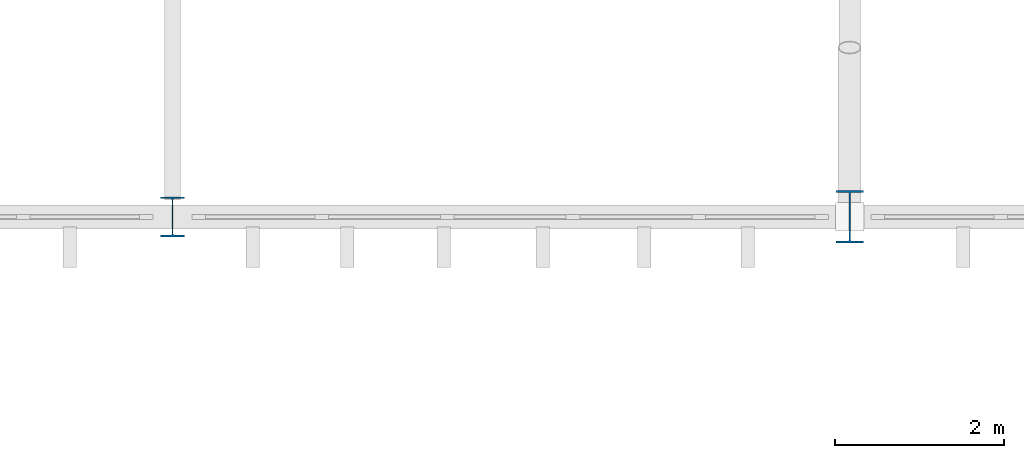
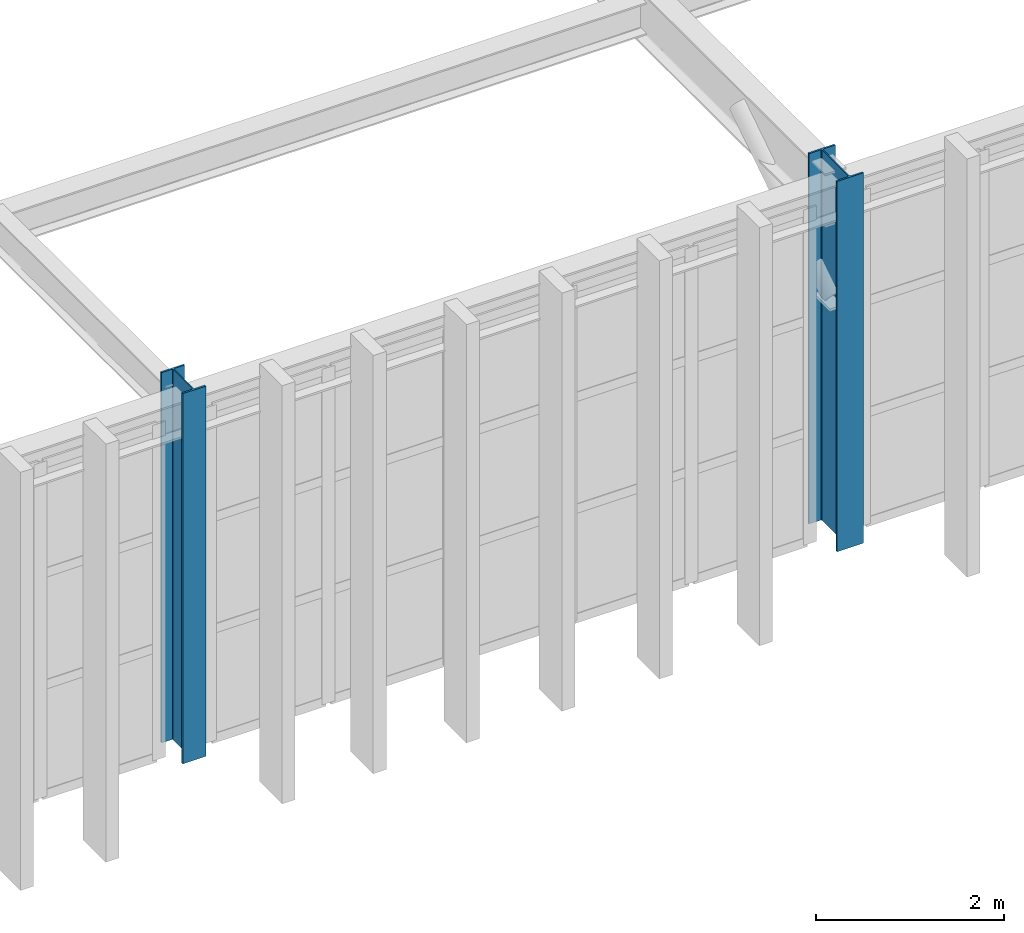
# One storey, part 5 of 61: 2 columns.
"""IFC4 building model written with IfcOpenShell, lengths in metres."""

import ifcopenshell
import ifcopenshell.guid

model = None  # the IFC model being written
_history = None  # IfcOwnerHistory: only IFC2X3 demands one
_inside = {}  # id of a spatial element -> (the spatial element, [elements in it])
_under = {}  # id of a project, library or spatial element -> (it, [spatial elements below it])
_declared = {}  # id of a project -> (the project, [libraries it declares])
_typed = {}  # id of a type object -> (the type object, [elements of that type])
_made_of = {}  # id of a material, layer set ... -> (it, [elements and type objects made of it])


def new_model(schema):
    """Start an empty IFC model of exactly this schema.

    Asked for "IFC4X3", IfcOpenShell would pick the latest addendum, in which some entities
    have other attributes; the version numbers below select the first issue.
    IFC2X3 requires an IfcOwnerHistory on every rooted entity: one is made here for all.
    """
    global model, _history
    if schema == "IFC4X3":
        model = ifcopenshell.file(schema_version=(4, 3, 0, 0))
    else:
        model = ifcopenshell.file(schema=schema)
    _inside.clear()
    _under.clear()
    _declared.clear()
    _typed.clear()
    _made_of.clear()
    _history = None
    if model.schema == "IFC2X3":
        org = make("IfcOrganization", Name="unknown")
        user = make(
            "IfcPersonAndOrganization",
            ThePerson=make("IfcPerson", FamilyName="unknown"),
            TheOrganization=org,
        )
        app = make(
            "IfcApplication",
            ApplicationDeveloper=org,
            Version="unknown",
            ApplicationFullName="unknown",
            ApplicationIdentifier="unknown",
        )
        _history = make(
            "IfcOwnerHistory",
            OwningUser=user,
            OwningApplication=app,
            ChangeAction="ADDED",
            CreationDate=0,
        )
    return model


def make(cls, **values):
    """One entity of the class cls with the attributes given. An attribute that is None is left unset."""
    return model.create_entity(
        cls, **{name: value for name, value in values.items() if value is not None}
    )


def rooted(cls, **values):
    """An entity with a GlobalId (a new one), such as an element, a storey or a relation."""
    return make(cls, GlobalId=ifcopenshell.guid.new(), OwnerHistory=_history, **values)


def si_unit(unit_type, name, prefix=None):
    """IfcSIUnit, for example si_unit("LENGTHUNIT", "METRE", prefix="MILLI")."""
    return make("IfcSIUnit", UnitType=unit_type, Prefix=prefix, Name=name)


def assignment(units):
    """IfcUnitAssignment: the units of a project."""
    return None if units is None else make("IfcUnitAssignment", Units=units)


def point(xyz):
    """IfcCartesianPoint."""
    return None if xyz is None else make("IfcCartesianPoint", Coordinates=xyz)


def direction(xyz):
    """IfcDirection."""
    return None if xyz is None else make("IfcDirection", DirectionRatios=xyz)


def frame(location, z_axis=None, x_axis=None):
    """IfcAxis2Placement3D, a coordinate frame: its origin and axes. An axis left out is left unset."""
    return make(
        "IfcAxis2Placement3D",
        Location=point(location),
        Axis=direction(z_axis),
        RefDirection=direction(x_axis),
    )


def frame_2d(location, x_axis=None):
    """IfcAxis2Placement2D, a coordinate frame in the plane: its origin and x axis."""
    return make(
        "IfcAxis2Placement2D", Location=point(location), RefDirection=direction(x_axis)
    )


def origin():
    """The frame at (0, 0, 0) with its axes left unset."""
    return frame((0.0, 0.0, 0.0))


def origin_2d():
    """The frame at (0, 0) in the plane with its x axis left unset."""
    return frame_2d((0.0, 0.0))


def place(relative_to, where):
    """IfcLocalPlacement: puts the frame where relative to a parent placement (None: the world)."""
    return make(
        "IfcLocalPlacement", PlacementRelTo=relative_to, RelativePlacement=where
    )


def context(
    kind, dimensions, precision=None, world=None, true_north=None, identifier=None
):
    """IfcGeometricRepresentationContext, for example the 3D "Model" context."""
    return make(
        "IfcGeometricRepresentationContext",
        ContextIdentifier=identifier,
        ContextType=kind,
        CoordinateSpaceDimension=dimensions,
        Precision=precision,
        WorldCoordinateSystem=world,
        TrueNorth=true_north,
    )


def subcontext(parent, identifier, kind, view, scale=None):
    """IfcGeometricRepresentationSubContext, for example "Body" below "Model"."""
    return make(
        "IfcGeometricRepresentationSubContext",
        ContextIdentifier=identifier,
        ContextType=kind,
        ParentContext=parent,
        TargetScale=scale,
        TargetView=view,
    )


def project(units=None, contexts=None):
    """IfcProject with its units and contexts."""
    return rooted(
        "IfcProject",
        Name="project",
        RepresentationContexts=contexts,
        UnitsInContext=assignment(units),
    )


def spatial(cls, under=None, at=None, **own):
    """A site, building, storey or space (cls), placed at a placement, below another one or the project."""
    s = rooted(cls, ObjectPlacement=at, **own)
    if under is not None:
        _under.setdefault(under.id(), (under, []))[1].append(s)
    return s


def profile(cls, at=None, kind="AREA", **sizes):
    """A parametric profile (cls). Its sizes go by their IFC names, for example OverallWidth=200.0."""
    return make(cls, ProfileType=kind, Position=at, **sizes)


def i_section(**sizes):
    """IfcIShapeProfileDef."""
    return profile("IfcIShapeProfileDef", **sizes)


def extrude(swept, where, along, depth):
    """IfcExtrudedAreaSolid: the profile swept, set in the frame where, extruded along a direction by depth."""
    return make(
        "IfcExtrudedAreaSolid",
        SweptArea=swept,
        Position=where,
        ExtrudedDirection=direction(along),
        Depth=depth,
    )


def shape(context_of_items, identifier, shape_type, items):
    """IfcShapeRepresentation: the items that make up one representation, for example the "Body"."""
    return make(
        "IfcShapeRepresentation",
        ContextOfItems=context_of_items,
        RepresentationIdentifier=identifier,
        RepresentationType=shape_type,
        Items=items,
    )


def material(Name=None, Category=None):
    """IfcMaterial."""
    return make("IfcMaterial", Name=Name, Category=Category)


def material_profile(
    of_material, cross_section, Name=None, Category=None, Priority=None
):
    """IfcMaterialProfile: a cross section and its material."""
    return make(
        "IfcMaterialProfile",
        Name=Name,
        Material=of_material,
        Profile=cross_section,
        Priority=Priority,
        Category=Category,
    )


def profile_set(profiles, Name=None, composite=None):
    """IfcMaterialProfileSet."""
    return make(
        "IfcMaterialProfileSet",
        Name=Name,
        MaterialProfiles=profiles,
        CompositeProfile=composite,
    )


def made_of(thing, what):
    """Note that an element or type object is made of a material, layer set ...; save() writes the relation."""
    if what is not None:
        _made_of.setdefault(what.id(), (what, []))[1].append(thing)
    return thing


def type_object(cls, material=None, **own):
    """A type object (cls), such as IfcWallType, which elements share."""
    return made_of(rooted(cls, **own), material)


def element(
    cls,
    number,
    at=None,
    inside=None,
    cuts=None,
    type_object=None,
    material=None,
    context=None,
    identifier="Body",
    shape_type=None,
    held_by="IfcProductDefinitionShape",
    body=None,
    shapes=None,
    **own,
):
    """One element of the class cls, such as IfcWall. Its Tag is "e" and its number.

    at: its placement. inside: the storey or other place that contains it. cuts: it is an
    opening in that element (IfcRelVoidsElement). A single representation is given by context,
    identifier, shape_type and body (its items); several are given by shapes. held_by: the class
    of the entity that holds the representations. save() writes the other relations.
    """
    e = rooted(cls, Tag="e%d" % number, ObjectPlacement=at, **own)
    if body is not None:
        shapes = [shape(context, identifier, shape_type, body)]
    if shapes is not None:
        e.Representation = make(held_by, Representations=shapes)
    if inside is not None:
        _inside.setdefault(inside.id(), (inside, []))[1].append(e)
    if cuts is not None:
        rooted(
            "IfcRelVoidsElement", RelatingBuildingElement=cuts, RelatedOpeningElement=e
        )
    if type_object is not None:
        _typed.setdefault(type_object.id(), (type_object, []))[1].append(e)
    return made_of(e, material)


def aggregate(whole, parts):
    """IfcRelAggregates: a whole, such as a stair, and the parts it consists of."""
    return rooted("IfcRelAggregates", RelatingObject=whole, RelatedObjects=parts)


def save(model, path):
    """Write the relations noted so far, then the file.

    IfcRelAggregates (storeys below a building ...), IfcRelContainedInSpatialStructure (elements
    in a storey), IfcRelDefinesByType, IfcRelAssociatesMaterial and IfcRelDeclares: one each for
    every whole, place, type object, material and project.
    """
    for whole, parts in _under.values():
        aggregate(whole, parts)
    for where, things in _inside.values():
        rooted(
            "IfcRelContainedInSpatialStructure",
            RelatedElements=things,
            RelatingStructure=where,
        )
    for kind, things in _typed.values():
        rooted("IfcRelDefinesByType", RelatedObjects=things, RelatingType=kind)
    for what, things in _made_of.values():
        rooted("IfcRelAssociatesMaterial", RelatedObjects=things, RelatingMaterial=what)
    for by, libraries in _declared.values():
        rooted("IfcRelDeclares", RelatingContext=by, RelatedDefinitions=libraries)
    model.write(path)


model = new_model("IFC4")

# Units and contexts
model_context = context("Model", 3, precision=1e-05, world=origin(), true_north=direction((0.0, 1.0)))
body_context = subcontext(model_context, "Body", "Model", "MODEL_VIEW")
ifc_project = project(units=[si_unit("LENGTHUNIT", "METRE"), si_unit("AREAUNIT", "SQUARE_METRE"), si_unit("VOLUMEUNIT", "CUBIC_METRE"), si_unit("PLANEANGLEUNIT", "RADIAN"), si_unit("MASSUNIT", "GRAM", prefix="KILO")], contexts=[model_context])

# Site, building, storey
site_placement = place(None, origin())
site = spatial("IfcSite", under=ifc_project, at=site_placement, CompositionType="ELEMENT")
building_placement = place(site_placement, origin())
building = spatial("IfcBuilding", under=site, at=building_placement, Name="Serraluz Foothill Cableway Terminal", CompositionType="ELEMENT")
storey_placement = place(building_placement, frame((0.0, 0.0, 15.0)))
storey = spatial("IfcBuildingStorey", under=building, at=storey_placement, Name="L03", CompositionType="ELEMENT", Elevation=15.0)

# Columns
ifc_material = material(Name="Steel ASTM A992 Grade 50", Category="steel")
ifc_material_profile_1 = material_profile(ifc_material, i_section(OverallWidth=0.282958984375, OverallDepth=0.471923828125, WebThickness=0.013671875, FlangeThickness=0.022216796875, FilletRadius=0.014892578125, at=origin_2d()), Name="W18X97")
ifc_profile_set_1 = profile_set([ifc_material_profile_1], Name="Steel ASTM A992 Grade 50")
column_type_1 = type_object("IfcColumnType", Name="TYP-COL-W18X97", PredefinedType="COLUMN", material=ifc_profile_set_1)
column_1_placement = place(storey_placement, frame((112.0, 56.0, 0.0), z_axis=(0.0, 0.0, 1.0), x_axis=(1.0, 0.0, 0.0)))
element("IfcColumn", 1, at=column_1_placement, inside=storey, type_object=column_type_1, Name="Column COL-V1-S-112-L03", PredefinedType="COLUMN", context=body_context, shape_type="SweptSolid", body=[
    extrude(i_section(OverallWidth=0.282958984375, OverallDepth=0.471923828125, WebThickness=0.013671875, FlangeThickness=0.022216796875, FilletRadius=0.014892578125, at=origin_2d()), origin(), (0.0, 0.0, 1.0), 4.800048828125),
])
ifc_material_profile_2 = material_profile(ifc_material, i_section(OverallWidth=0.324951171875, OverallDepth=0.615966796875, WebThickness=0.013916015625, FlangeThickness=0.021484375, FilletRadius=0.01806640625, at=origin_2d()), Name="W24X117")
ifc_profile_set_2 = profile_set([ifc_material_profile_2], Name="Steel ASTM A992 Grade 50")
column_type_2 = type_object("IfcColumnType", Name="TYP-COL-W24X117", PredefinedType="COLUMN", material=ifc_profile_set_2)
column_2_placement = place(storey_placement, frame((120.0, 56.0, 0.0), z_axis=(0.0, 0.0, 1.0), x_axis=(1.0, 0.0, 0.0)))
element("IfcColumn", 2, at=column_2_placement, inside=storey, type_object=column_type_2, Name="Column COL-V1-S-120-L03", PredefinedType="COLUMN", context=body_context, shape_type="SweptSolid", body=[
    extrude(i_section(OverallWidth=0.324951171875, OverallDepth=0.615966796875, WebThickness=0.013916015625, FlangeThickness=0.021484375, FilletRadius=0.01806640625, at=origin_2d()), origin(), (0.0, 0.0, 1.0), 4.800048828125),
])

save(model, "model.ifc")
